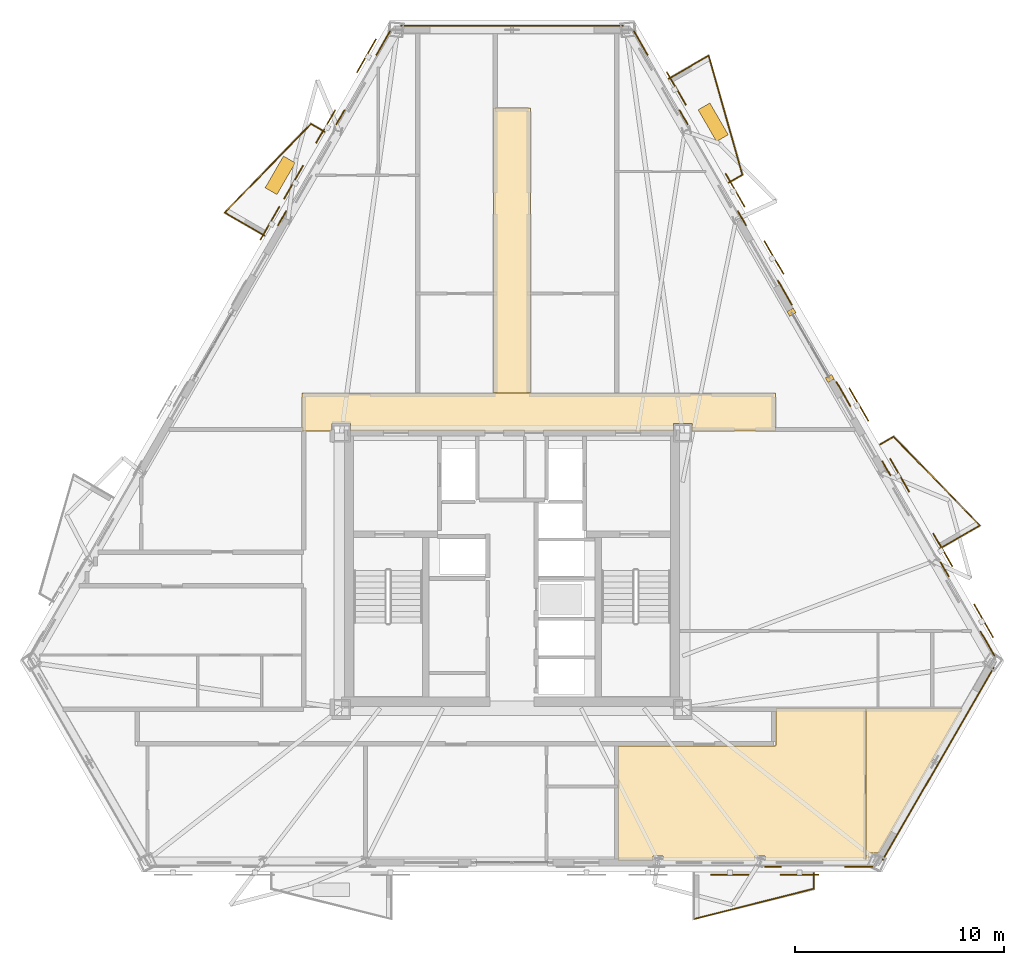
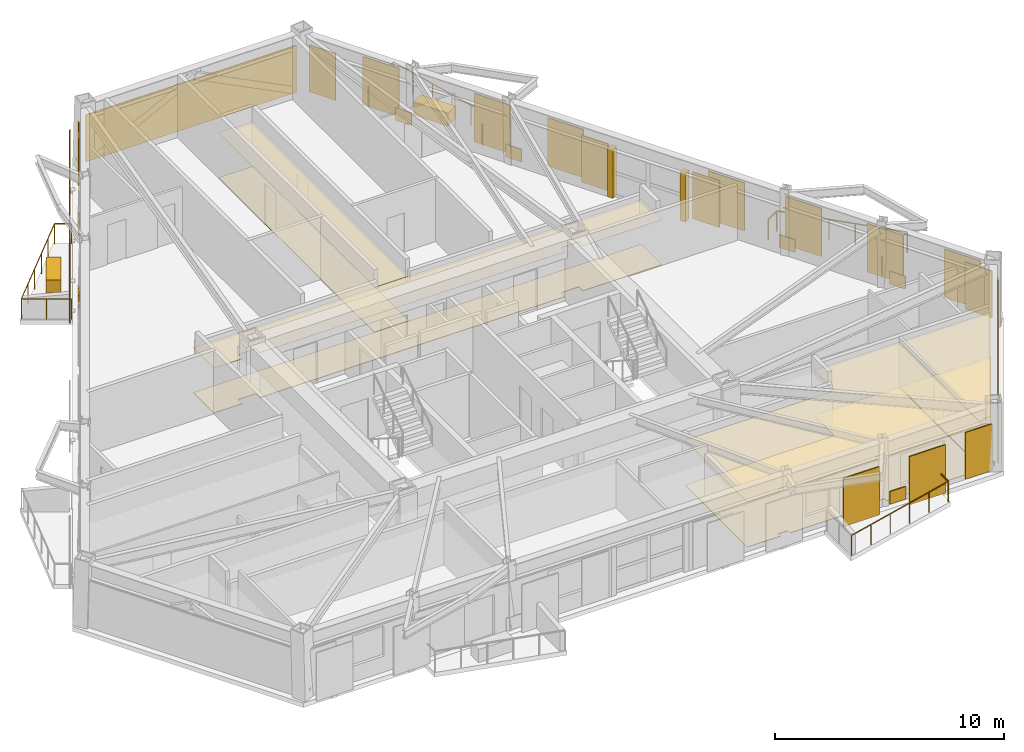
# One storey, part 15 of 16: 27 coverings, 13 shading devices, 11 railings.
"""IFC4 building model written with IfcOpenShell, lengths in metres."""

from ifc_helpers import new_model, si_unit, direction, frame, origin, origin_2d, place, context, subcontext, project, spatial, polyline, rectangle, circle, outline, extrude, material, layer, layer_set, type_object, element, save


model = new_model("IFC4")

# Units and contexts
model_context = context("Model", 3, precision=1e-05, world=origin(), true_north=direction((0.0, 1.0)))
body_context = subcontext(model_context, "Body", "Model", "MODEL_VIEW")
ifc_project = project(units=[si_unit("LENGTHUNIT", "METRE"), si_unit("AREAUNIT", "SQUARE_METRE"), si_unit("VOLUMEUNIT", "CUBIC_METRE"), si_unit("PLANEANGLEUNIT", "RADIAN"), si_unit("MASSUNIT", "GRAM", prefix="KILO")], contexts=[model_context])

# Site, building, storey
site_placement = place(None, origin())
site = spatial("IfcSite", under=ifc_project, at=site_placement, CompositionType="ELEMENT")
building_placement = place(site_placement, origin())
building = spatial("IfcBuilding", under=site, at=building_placement, Name="Oramaril Tower", CompositionType="ELEMENT")
storey_placement = place(building_placement, frame((0.0, 0.0, 115.800048828125)))
storey = spatial("IfcBuildingStorey", under=building, at=storey_placement, Name="L30", CompositionType="ELEMENT", Elevation=115.800048828125)

# Coverings
ifc_material_1 = material(Name="Mineral Fibre Acoustic Ceiling")
ifc_layer_1 = layer(ifc_material_1, 0.02001953125)
ifc_layer_set_1 = layer_set([ifc_layer_1], Name="CVT-CEIL")
covering_type_1 = type_object("IfcCoveringType", Name="CVT-CEIL", PredefinedType="CEILING", material=ifc_layer_set_1)
covering_1_placement = place(storey_placement, frame((0.0, 0.0, 2.39990234375)))
element("IfcCovering", 1, at=covering_1_placement, inside=storey, type_object=covering_type_1, Name="L30 Acoustic Suspended Ceiling 2", PredefinedType="CEILING", context=body_context, shape_type="SweptSolid", body=[
    extrude(outline(polyline([(50.080078125, 24.239990234375), (46.094970703125, 24.239990234375), (46.094970703125, 24.594970703125), (45.205078125, 24.594970703125), (45.205078125, 24.25), (29.794921875, 24.25), (29.794921875, 24.594970703125), (28.905029296875, 24.594970703125), (28.905029296875, 24.239990234375), (27.469970703125, 24.239990234375), (27.469970703125, 26.050048828125), (50.080078125, 26.050048828125), (50.080078125, 24.239990234375)])), origin(), (0.0, 0.0, 1.0), 0.02001953125),
])
covering_2_placement = place(storey_placement, frame((0.0, 0.0, 2.39990234375)))
element("IfcCovering", 2, at=covering_2_placement, inside=storey, type_object=covering_type_1, Name="L30 Acoustic Suspended Ceiling 4", PredefinedType="CEILING", context=body_context, shape_type="SweptSolid", body=[
    extrude(outline(polyline([(38.3798828125, 26.070068359375), (36.6201171875, 26.070068359375), (36.6201171875, 39.679931640625), (38.3798828125, 39.679931640625), (38.3798828125, 26.070068359375)])), origin(), (0.0, 0.0, 1.0), 0.02001953125),
])
covering_3_placement = place(storey_placement, frame((0.0, 0.0, 2.39990234375)))
element("IfcCovering", 3, at=covering_3_placement, inside=storey, type_object=covering_type_1, Name="L30 Acoustic Suspended Ceiling 11", PredefinedType="CEILING", context=body_context, shape_type="SweptSolid", body=[
    extrude(outline(polyline([(54.39794921875, 10.991943359375), (54.39794921875, 3.7373046875), (49.589599609375, 3.7373046875), (49.589599609375, 3.93603515625), (49.117919921875, 3.93603515625), (49.117919921875, 3.7373046875), (44.703369140625, 3.7373046875), (44.703369140625, 3.93603515625), (44.2421875, 3.93603515625), (44.2421875, 3.7373046875), (42.56201171875, 3.7373046875), (42.56201171875, 7.314208984375), (42.56201171875, 7.316162109375), (42.5615234375, 7.318115234375), (42.56103515625, 7.320068359375), (42.560546875, 7.322021484375), (42.5595703125, 7.323486328125), (42.559326171875, 7.32421875), (42.5595703125, 7.32470703125), (42.560546875, 7.326416015625), (42.56103515625, 7.328369140625), (42.5615234375, 7.330322265625), (42.56201171875, 7.332275390625), (42.56201171875, 7.334228515625), (42.56201171875, 9.199951171875), (50.080078125, 9.199951171875), (50.08203125, 9.2001953125), (50.083984375, 9.200439453125), (50.085693359375, 9.200927734375), (50.087646484375, 9.201416015625), (50.08935546875, 9.202392578125), (50.091064453125, 9.203369140625), (50.0927734375, 9.20458984375), (50.093994140625, 9.205810546875), (50.095458984375, 9.207275390625), (50.0966796875, 9.208984375), (50.09765625, 9.210693359375), (50.098388671875, 9.21240234375), (50.09912109375, 9.214111328125), (50.099609375, 9.216064453125), (50.099853515625, 9.218017578125), (50.10009765625, 9.219970703125), (50.10009765625, 10.991943359375), (54.39794921875, 10.991943359375)])), origin(), (0.0, 0.0, 1.0), 0.02001953125),
])
covering_4_placement = place(storey_placement, frame((0.0, 0.0, 2.39990234375)))
element("IfcCovering", 4, at=covering_4_placement, inside=storey, type_object=covering_type_1, Name="L30 Acoustic Suspended Ceiling 12", PredefinedType="CEILING", context=body_context, shape_type="SweptSolid", body=[
    extrude(outline(polyline([(54.543212890625, 4.0830078125), (54.543212890625, 3.7373046875), (54.41796875, 3.7373046875), (54.41796875, 10.991943359375), (59.039306640625, 10.991943359375), (55.05029296875, 4.0830078125), (54.543212890625, 4.0830078125)])), origin(), (0.0, 0.0, 1.0), 0.02001953125),
])
ifc_material_2 = material(Name="Warm Cream Limestone", Category="masonry")
ifc_layer_2 = layer(ifc_material_2, 0.050048828125)
ifc_layer_set_2 = layer_set([ifc_layer_2], Name="CVT-CLD")
covering_type_2 = type_object("IfcCoveringType", Name="CVT-CLD", PredefinedType="CLADDING", material=ifc_layer_set_2)
covering_5_placement = place(storey_placement, frame((54.06298828125, 3.436279296875, 0.0400390625), z_axis=(0.0, 0.0, 1.0), x_axis=(1.0, 0.0, 0.0)))
element("IfcCovering", 5, at=covering_5_placement, inside=storey, type_object=covering_type_2, Name="L30 Warm Cream Limestone Cladding", PredefinedType="CLADDING", context=body_context, shape_type="SweptSolid", body=[
    extrude(rectangle(XDim=1.35009765625, YDim=0.050048828125, at=origin_2d()), origin(), (0.0, 0.0, 1.0), 2.498046875),
])
covering_6_placement = place(storey_placement, frame((49.96484375, 3.436279296875, 0.0400390625), z_axis=(0.0, 0.0, 1.0), x_axis=(1.0, 0.0, 0.0)))
element("IfcCovering", 6, at=covering_6_placement, inside=storey, type_object=covering_type_2, Name="L30 Warm Cream Limestone Spandrel Cladding", PredefinedType="CLADDING", context=body_context, shape_type="SweptSolid", body=[
    extrude(rectangle(XDim=0.800048828125, YDim=0.050048828125, at=origin_2d()), origin(), (0.0, 0.0, 1.0), 0.679931640625),
])
covering_7_placement = place(storey_placement, frame((57.85888671875, 8.345703125, 0.0400390625), z_axis=(0.0, 0.0, 1.0), x_axis=(0.500003022996, 0.86602365845, 0.0)))
element("IfcCovering", 7, at=covering_7_placement, inside=storey, type_object=covering_type_2, Name="L30 Warm Cream Limestone Cladding", PredefinedType="CLADDING", context=body_context, shape_type="SweptSolid", body=[
    extrude(rectangle(XDim=10.614990234375, YDim=0.050048828125, at=origin_2d()), origin(), (0.0, 0.0, 1.0), 2.498046875),
])
for number, where, z_axis, x_axis, name in (
    (8, (52.678955078125, 26.75048828125, 0.0), (0.0, 0.0, 1.0), (-0.5, 0.866025403784, 0.0), "L30 Curtain Wall Limestone Jamb Closure"),
    (9, (50.84912109375, 29.920166015625, 0.0), (0.0, 0.0, 1.0), (-0.5, 0.866025403784, 0.0), "L30 Curtain Wall Limestone Jamb Closure"),
):
    element("IfcCovering", number, at=place(storey_placement, frame(where, z_axis=z_axis, x_axis=x_axis)), inside=storey, type_object=covering_type_2, Name=name, PredefinedType="CLADDING", context=body_context, shape_type="SweptSolid", body=[
        extrude(rectangle(XDim=0.260009765625, YDim=0.340087890625, at=origin_2d()), origin(), (0.0, 0.0, 1.0), 2.577880859375),
    ])
for number, where, z_axis, x_axis, name in (
    (10, (60.212646484375, 14.087646484375, 0.0400390625), (0.0, 0.0, 1.0), (-0.4999984885, 0.866026276448, 0.0), "L30 Warm Cream Limestone Cladding"),
    (11, (53.3310546875, 26.007080078125, 0.0400390625), (0.0, 0.0, 1.0), (-0.4999984885, 0.866026276448, 0.0), "L30 Warm Cream Limestone Cladding"),
):
    element("IfcCovering", number, at=place(storey_placement, frame(where, z_axis=z_axis, x_axis=x_axis)), inside=storey, type_object=covering_type_2, Name=name, PredefinedType="CLADDING", context=body_context, shape_type="SweptSolid", body=[
        extrude(rectangle(XDim=1.35009765625, YDim=0.050048828125, at=origin_2d()), origin(), (0.0, 0.0, 1.0), 2.498046875),
    ])
for number, where, z_axis, x_axis, name in (
    (12, (58.16357421875, 17.636962890625, 0.0400390625), (0.0, 0.0, 1.0), (-0.4999984885, 0.866026276448, 0.0), "L30 Warm Cream Limestone Spandrel Cladding"),
    (13, (55.38037109375, 22.457763671875, 0.0400390625), (0.0, 0.0, 1.0), (-0.4999984885, 0.866026276448, 0.0), "L30 Warm Cream Limestone Spandrel Cladding"),
):
    element("IfcCovering", number, at=place(storey_placement, frame(where, z_axis=z_axis, x_axis=x_axis)), inside=storey, type_object=covering_type_2, Name=name, PredefinedType="CLADDING", context=body_context, shape_type="SweptSolid", body=[
        extrude(rectangle(XDim=0.800048828125, YDim=0.050048828125, at=origin_2d()), origin(), (0.0, 0.0, 1.0), 0.679931640625),
    ])
for number, where, z_axis, x_axis, name in (
    (14, (50.531005859375, 30.856689453125, 0.0400390625), (0.0, 0.0, 1.0), (-0.4999984885, 0.866026276448, 0.0), "L30 Warm Cream Limestone Cladding"),
    (15, (43.649658203125, 42.77587890625, 0.0400390625), (0.0, 0.0, 1.0), (-0.4999984885, 0.866026276448, 0.0), "L30 Warm Cream Limestone Cladding"),
):
    element("IfcCovering", number, at=place(storey_placement, frame(where, z_axis=z_axis, x_axis=x_axis)), inside=storey, type_object=covering_type_2, Name=name, PredefinedType="CLADDING", context=body_context, shape_type="SweptSolid", body=[
        extrude(rectangle(XDim=1.35009765625, YDim=0.050048828125, at=origin_2d()), origin(), (0.0, 0.0, 1.0), 2.498046875),
    ])
for number, where, z_axis, x_axis, name in (
    (16, (48.482177734375, 34.406005859375, 0.0400390625), (0.0, 0.0, 1.0), (-0.4999984885, 0.866026276448, 0.0), "L30 Warm Cream Limestone Spandrel Cladding"),
    (17, (45.69873046875, 39.226806640625, 0.0400390625), (0.0, 0.0, 1.0), (-0.4999984885, 0.866026276448, 0.0), "L30 Warm Cream Limestone Spandrel Cladding"),
):
    element("IfcCovering", number, at=place(storey_placement, frame(where, z_axis=z_axis, x_axis=x_axis)), inside=storey, type_object=covering_type_2, Name=name, PredefinedType="CLADDING", context=body_context, shape_type="SweptSolid", body=[
        extrude(rectangle(XDim=0.800048828125, YDim=0.050048828125, at=origin_2d()), origin(), (0.0, 0.0, 1.0), 0.679931640625),
    ])
covering_8_placement = place(storey_placement, frame((37.5, 43.608642578125, 0.0400390625), z_axis=(0.0, 0.0, 1.0), x_axis=(-1.0, 0.0, 0.0)))
element("IfcCovering", 18, at=covering_8_placement, inside=storey, type_object=covering_type_2, Name="L30 Warm Cream Limestone Cladding", PredefinedType="CLADDING", context=body_context, shape_type="SweptSolid", body=[
    extrude(rectangle(XDim=10.614990234375, YDim=0.050048828125, at=origin_2d()), origin(), (0.0, 0.0, 1.0), 2.498046875),
])
covering_9_placement = place(storey_placement, frame((31.350341796875, 42.77587890625, 0.0400390625), z_axis=(0.0, 0.0, 1.0), x_axis=(-0.4999984885, -0.866026276448, 0.0)))
element("IfcCovering", 19, at=covering_9_placement, inside=storey, type_object=covering_type_2, Name="L30 Warm Cream Limestone Cladding", PredefinedType="CLADDING", context=body_context, shape_type="SweptSolid", body=[
    extrude(rectangle(XDim=1.35009765625, YDim=0.050048828125, at=origin_2d()), origin(), (0.0, 0.0, 1.0), 2.498046875),
])
for number, where, z_axis, x_axis, name in (
    (20, (29.30126953125, 39.226806640625, 0.0400390625), (0.0, 0.0, 1.0), (-0.4999984885, -0.866026276448, 0.0), "L30 Warm Cream Limestone Spandrel Cladding"),
    (21, (26.517822265625, 34.406005859375, 0.0400390625), (0.0, 0.0, 1.0), (-0.4999984885, -0.866026276448, 0.0), "L30 Warm Cream Limestone Spandrel Cladding"),
):
    element("IfcCovering", number, at=place(storey_placement, frame(where, z_axis=z_axis, x_axis=x_axis)), inside=storey, type_object=covering_type_2, Name=name, PredefinedType="CLADDING", context=body_context, shape_type="SweptSolid", body=[
        extrude(rectangle(XDim=0.800048828125, YDim=0.050048828125, at=origin_2d()), origin(), (0.0, 0.0, 1.0), 0.679931640625),
    ])
for number, where, z_axis, x_axis, name in (
    (22, (47.110107421875, 38.989501953125, 0.0), (0.0, 0.0, 1.0), (-0.4999984885, 0.866026276448, 0.0), "L30 Structural Tree Planter Box L30-BAL-NE2"),
    (23, (26.427490234375, 36.456298828125, 0.0), (0.0, 0.0, 1.0), (-0.4999984885, -0.866026276448, 0.0), "L30 Structural Tree Planter Box L30-BAL-NW1"),
):
    element("IfcCovering", number, at=place(storey_placement, frame(where, z_axis=z_axis, x_axis=x_axis)), inside=storey, type_object=covering_type_2, Name=name, PredefinedType="CLADDING", context=body_context, shape_type="SweptSolid", body=[
        extrude(rectangle(XDim=1.75, YDim=0.64990234375, at=origin_2d()), origin(), (0.0, 0.0, 1.0), 0.699951171875),
    ])
ifc_material_3 = material(Name="Honed Quartzite Stone Flooring", Category="masonry")
ifc_layer_3 = layer(ifc_material_3, 0.02490234375)
ifc_layer_set_3 = layer_set([ifc_layer_3], Name="CVT-FLR")
covering_type_3 = type_object("IfcCoveringType", Name="CVT-FLR", PredefinedType="FLOORING", material=ifc_layer_set_3)
covering_10_placement = place(storey_placement, origin())
element("IfcCovering", 24, at=covering_10_placement, inside=storey, type_object=covering_type_3, Name="L30 Honed Stone Floor Finish 2", PredefinedType="FLOORING", context=body_context, shape_type="SweptSolid", body=[
    extrude(outline(polyline([(50.080078125, 24.239990234375), (46.094970703125, 24.239990234375), (46.094970703125, 24.594970703125), (45.205078125, 24.594970703125), (45.205078125, 24.25), (29.794921875, 24.25), (29.794921875, 24.594970703125), (28.905029296875, 24.594970703125), (28.905029296875, 24.239990234375), (27.469970703125, 24.239990234375), (27.469970703125, 26.050048828125), (50.080078125, 26.050048828125), (50.080078125, 24.239990234375)])), origin(), (0.0, 0.0, 1.0), 0.02490234375),
])
covering_11_placement = place(storey_placement, origin())
element("IfcCovering", 25, at=covering_11_placement, inside=storey, type_object=covering_type_3, Name="L30 Honed Stone Floor Finish 4", PredefinedType="FLOORING", context=body_context, shape_type="SweptSolid", body=[
    extrude(outline(polyline([(38.3798828125, 26.070068359375), (36.6201171875, 26.070068359375), (36.6201171875, 39.679931640625), (38.3798828125, 39.679931640625), (38.3798828125, 26.070068359375)])), origin(), (0.0, 0.0, 1.0), 0.02490234375),
])
covering_12_placement = place(storey_placement, origin())
element("IfcCovering", 26, at=covering_12_placement, inside=storey, type_object=covering_type_3, Name="L30 Honed Stone Floor Finish 11", PredefinedType="FLOORING", context=body_context, shape_type="SweptSolid", body=[
    extrude(outline(polyline([(54.39794921875, 10.991943359375), (54.39794921875, 3.7373046875), (49.589599609375, 3.7373046875), (49.589599609375, 3.93603515625), (49.117919921875, 3.93603515625), (49.117919921875, 3.7373046875), (44.703369140625, 3.7373046875), (44.703369140625, 3.93603515625), (44.2421875, 3.93603515625), (44.2421875, 3.7373046875), (42.56201171875, 3.7373046875), (42.56201171875, 7.314208984375), (42.56201171875, 7.316162109375), (42.5615234375, 7.318115234375), (42.56103515625, 7.320068359375), (42.560546875, 7.322021484375), (42.5595703125, 7.323486328125), (42.559326171875, 7.32421875), (42.5595703125, 7.32470703125), (42.560546875, 7.326416015625), (42.56103515625, 7.328369140625), (42.5615234375, 7.330322265625), (42.56201171875, 7.332275390625), (42.56201171875, 7.334228515625), (42.56201171875, 9.199951171875), (50.080078125, 9.199951171875), (50.08203125, 9.2001953125), (50.083984375, 9.200439453125), (50.085693359375, 9.200927734375), (50.087646484375, 9.201416015625), (50.08935546875, 9.202392578125), (50.091064453125, 9.203369140625), (50.0927734375, 9.20458984375), (50.093994140625, 9.205810546875), (50.095458984375, 9.207275390625), (50.0966796875, 9.208984375), (50.09765625, 9.210693359375), (50.098388671875, 9.21240234375), (50.09912109375, 9.214111328125), (50.099609375, 9.216064453125), (50.099853515625, 9.218017578125), (50.10009765625, 9.219970703125), (50.10009765625, 10.991943359375), (54.39794921875, 10.991943359375)])), origin(), (0.0, 0.0, 1.0), 0.02490234375),
])
covering_13_placement = place(storey_placement, origin())
element("IfcCovering", 27, at=covering_13_placement, inside=storey, type_object=covering_type_3, Name="L30 Honed Stone Floor Finish 12", PredefinedType="FLOORING", context=body_context, shape_type="SweptSolid", body=[
    extrude(outline(polyline([(54.543212890625, 4.0830078125), (54.543212890625, 3.7373046875), (54.41796875, 3.7373046875), (54.41796875, 10.991943359375), (59.039306640625, 10.991943359375), (55.05029296875, 4.0830078125), (54.543212890625, 4.0830078125)])), origin(), (0.0, 0.0, 1.0), 0.02490234375),
])

# Railings
ifc_material_4 = material(Name="Stainless Steel 316L", Category="steel")
railing_type = type_object("IfcRailingType", Name="RLT-GRD", PredefinedType="GUARDRAIL", material=ifc_material_4)
railing_1_placement = place(storey_placement, frame((51.918701171875, 3.121337890625, 0.0)))
element("IfcRailing", 28, at=railing_1_placement, inside=storey, type_object=railing_type, Name="L30 Balcony Guardrail L30-BAL-S2.1", PredefinedType="GUARDRAIL", context=body_context, shape_type="SweptSolid", body=[
    extrude(circle(Radius=0.02392578125, at=origin_2d()), frame((0.0, 0.0, 1.076171875), z_axis=(0.0, -1.0, 0.0), x_axis=(1.0, 0.0, 0.0)), (0.0, 0.0, 1.0), 0.741943359375),
    extrude(circle(Radius=0.02099609375, at=origin_2d()), origin(), (0.0, 0.0, 1.0), 1.052001953125),
    extrude(circle(Radius=0.02099609375, at=origin_2d()), frame((0.0, -0.741943359375, 0.0)), (0.0, 0.0, 1.0), 1.052001953125),
])
railing_2_placement = place(storey_placement, frame((51.918701171875, 2.37939453125, 0.0)))
element("IfcRailing", 29, at=railing_2_placement, inside=storey, type_object=railing_type, Name="L30 Balcony Guardrail L30-BAL-S2.2", PredefinedType="GUARDRAIL", context=body_context, shape_type="SweptSolid", body=[
    extrude(circle(Radius=0.02392578125, at=origin_2d()), frame((0.0, 0.0, 1.076171875), z_axis=(-0.969433787338, -0.245353076131, 0.0), x_axis=(0.245353076131, -0.969433787338, 0.0)), (0.0, 0.0, 1.0), 5.91064453125),
    extrude(circle(Radius=0.02099609375, at=origin_2d()), origin(), (0.0, 0.0, 1.0), 1.052001953125),
    extrude(circle(Radius=0.02099609375, at=origin_2d()), frame((-1.14599609375, -0.2900390625, 0.0)), (0.0, 0.0, 1.0), 1.052001953125),
    extrude(circle(Radius=0.02099609375, at=origin_2d()), frame((-2.2919921875, -0.580078125, 0.0)), (0.0, 0.0, 1.0), 1.052001953125),
    extrude(circle(Radius=0.02099609375, at=origin_2d()), frame((-3.43798828125, -0.8701171875, 0.0)), (0.0, 0.0, 1.0), 1.052001953125),
    extrude(circle(Radius=0.02099609375, at=origin_2d()), frame((-4.583984375, -1.16015625, 0.0)), (0.0, 0.0, 1.0), 1.052001953125),
    extrude(circle(Radius=0.02099609375, at=origin_2d()), frame((-5.72998046875, -1.4501953125, 0.0)), (0.0, 0.0, 1.0), 1.052001953125),
])
railing_3_placement = place(storey_placement, frame((55.0859375, 23.597900390625, 0.0)))
element("IfcRailing", 30, at=railing_3_placement, inside=storey, type_object=railing_type, Name="L30 Balcony Guardrail L30-BAL-NE1.1", PredefinedType="GUARDRAIL", context=body_context, shape_type="SweptSolid", body=[
    extrude(circle(Radius=0.02392578125, at=origin_2d()), frame((0.0, 0.0, 1.076171875), z_axis=(0.866108878364, 0.499855389907, 0.0), x_axis=(-0.499855389907, 0.866108878364, 0.0)), (0.0, 0.0, 1.0), 0.741943359375),
    extrude(circle(Radius=0.02099609375, at=origin_2d()), origin(), (0.0, 0.0, 1.0), 1.052001953125),
    extrude(circle(Radius=0.02099609375, at=origin_2d()), frame((0.642578125, 0.370849609375, 0.0)), (0.0, 0.0, 1.0), 1.052001953125),
])
railing_4_placement = place(storey_placement, frame((55.728515625, 23.96875, 0.0)))
element("IfcRailing", 31, at=railing_4_placement, inside=storey, type_object=railing_type, Name="L30 Balcony Guardrail L30-BAL-NE1.2", PredefinedType="GUARDRAIL", context=body_context, shape_type="SweptSolid", body=[
    extrude(circle(Radius=0.02392578125, at=origin_2d()), frame((0.0, 0.0, 1.076171875), z_axis=(0.697165686546, -0.716910040034, 0.0), x_axis=(0.716910040034, 0.697165686546, 0.0)), (0.0, 0.0, 1.0), 5.910400390625),
    extrude(circle(Radius=0.02099609375, at=origin_2d()), origin(), (0.0, 0.0, 1.0), 1.052001953125),
    extrude(circle(Radius=0.02099609375, at=origin_2d()), frame((0.82421875, -0.847412109375, 0.0)), (0.0, 0.0, 1.0), 1.052001953125),
    extrude(circle(Radius=0.02099609375, at=origin_2d()), frame((1.648193359375, -1.69482421875, 0.0)), (0.0, 0.0, 1.0), 1.052001953125),
    extrude(circle(Radius=0.02099609375, at=origin_2d()), frame((2.472412109375, -2.54248046875, 0.0)), (0.0, 0.0, 1.0), 1.052001953125),
    extrude(circle(Radius=0.02099609375, at=origin_2d()), frame((3.29638671875, -3.389892578125, 0.0)), (0.0, 0.0, 1.0), 1.052001953125),
    extrude(circle(Radius=0.02099609375, at=origin_2d()), frame((4.12060546875, -4.2373046875, 0.0)), (0.0, 0.0, 1.0), 1.052001953125),
])
railing_5_placement = place(storey_placement, frame((59.84912109375, 19.7314453125, 0.0)))
element("IfcRailing", 32, at=railing_5_placement, inside=storey, type_object=railing_type, Name="L30 Balcony Guardrail L30-BAL-NE1.3", PredefinedType="GUARDRAIL", context=body_context, shape_type="SweptSolid", body=[
    extrude(circle(Radius=0.02392578125, at=origin_2d()), frame((0.0, 0.0, 1.076171875), z_axis=(-0.866020500697, -0.5000084923, 0.0), x_axis=(0.5000084923, -0.866020500697, 0.0)), (0.0, 0.0, 1.0), 2.19189453125),
    extrude(circle(Radius=0.02099609375, at=origin_2d()), origin(), (0.0, 0.0, 1.0), 1.052001953125),
    extrude(circle(Radius=0.02099609375, at=origin_2d()), frame((-0.94921875, -0.5478515625, 0.0)), (0.0, 0.0, 1.0), 1.052001953125),
    extrude(circle(Radius=0.02099609375, at=origin_2d()), frame((-1.898193359375, -1.095947265625, 0.0)), (0.0, 0.0, 1.0), 1.052001953125),
])
railing_6_placement = place(storey_placement, frame((44.99462890625, 41.076416015625, 0.0)))
element("IfcRailing", 33, at=railing_6_placement, inside=storey, type_object=railing_type, Name="L30 Balcony Guardrail L30-BAL-NE2.1", PredefinedType="GUARDRAIL", context=body_context, shape_type="SweptSolid", body=[
    extrude(circle(Radius=0.02392578125, at=origin_2d()), frame((0.0, 0.0, 1.076171875), z_axis=(0.866048343933, 0.499960264392, 0.0), x_axis=(-0.499960264392, 0.866048343933, 0.0)), (0.0, 0.0, 1.0), 2.192138671875),
    extrude(circle(Radius=0.02099609375, at=origin_2d()), origin(), (0.0, 0.0, 1.0), 1.052001953125),
    extrude(circle(Radius=0.02099609375, at=origin_2d()), frame((0.94921875, 0.5478515625, 0.0)), (0.0, 0.0, 1.0), 1.052001953125),
    extrude(circle(Radius=0.02099609375, at=origin_2d()), frame((1.8984375, 1.095947265625, 0.0)), (0.0, 0.0, 1.0), 1.052001953125),
])
railing_7_placement = place(storey_placement, frame((46.89306640625, 42.17236328125, 0.0)))
element("IfcRailing", 34, at=railing_7_placement, inside=storey, type_object=railing_type, Name="L30 Balcony Guardrail L30-BAL-NE2.2", PredefinedType="GUARDRAIL", context=body_context, shape_type="SweptSolid", body=[
    extrude(circle(Radius=0.02392578125, at=origin_2d()), frame((0.0, 0.0, 1.076171875), z_axis=(0.27224886544, -0.962226873074, 0.0), x_axis=(0.962226873074, 0.27224886544, 0.0)), (0.0, 0.0, 1.0), 5.910400390625),
    extrude(circle(Radius=0.02099609375, at=origin_2d()), origin(), (0.0, 0.0, 1.0), 1.052001953125),
    extrude(circle(Radius=0.02099609375, at=origin_2d()), frame((0.32177734375, -1.137451171875, 0.0)), (0.0, 0.0, 1.0), 1.052001953125),
    extrude(circle(Radius=0.02099609375, at=origin_2d()), frame((0.6435546875, -2.27490234375, 0.0)), (0.0, 0.0, 1.0), 1.052001953125),
    extrude(circle(Radius=0.02099609375, at=origin_2d()), frame((0.965576171875, -3.412353515625, 0.0)), (0.0, 0.0, 1.0), 1.052001953125),
    extrude(circle(Radius=0.02099609375, at=origin_2d()), frame((1.287353515625, -4.5498046875, 0.0)), (0.0, 0.0, 1.0), 1.052001953125),
    extrude(circle(Radius=0.02099609375, at=origin_2d()), frame((1.609130859375, -5.687255859375, 0.0)), (0.0, 0.0, 1.0), 1.052001953125),
])
railing_8_placement = place(storey_placement, frame((48.502197265625, 36.485107421875, 0.0)))
element("IfcRailing", 35, at=railing_8_placement, inside=storey, type_object=railing_type, Name="L30 Balcony Guardrail L30-BAL-NE2.3", PredefinedType="GUARDRAIL", context=body_context, shape_type="SweptSolid", body=[
    extrude(circle(Radius=0.02392578125, at=origin_2d()), frame((0.0, 0.0, 1.076171875), z_axis=(-0.865966403178, -0.500102178127, 0.0), x_axis=(0.500102178127, -0.865966403178, 0.0)), (0.0, 0.0, 1.0), 0.741943359375),
    extrude(circle(Radius=0.02099609375, at=origin_2d()), origin(), (0.0, 0.0, 1.0), 1.052001953125),
    extrude(circle(Radius=0.02099609375, at=origin_2d()), frame((-0.642578125, -0.37109375, 0.0)), (0.0, 0.0, 1.0), 1.052001953125),
])
railing_9_placement = place(storey_placement, frame((25.677734375, 33.580810546875, 0.0)))
element("IfcRailing", 36, at=railing_9_placement, inside=storey, type_object=railing_type, Name="L30 Balcony Guardrail L30-BAL-NW1.1", PredefinedType="GUARDRAIL", context=body_context, shape_type="SweptSolid", body=[
    extrude(circle(Radius=0.02392578125, at=origin_2d()), frame((0.0, 0.0, 1.076171875), z_axis=(-0.865972267571, 0.50009202333, 0.0), x_axis=(-0.50009202333, -0.865972267571, 0.0)), (0.0, 0.0, 1.0), 2.19189453125),
    extrude(circle(Radius=0.02099609375, at=origin_2d()), origin(), (0.0, 0.0, 1.0), 1.052001953125),
    extrude(circle(Radius=0.02099609375, at=origin_2d()), frame((-0.94921875, 0.548095703125, 0.0)), (0.0, 0.0, 1.0), 1.052001953125),
    extrude(circle(Radius=0.02099609375, at=origin_2d()), frame((-1.898193359375, 1.09619140625, 0.0)), (0.0, 0.0, 1.0), 1.052001953125),
])
railing_10_placement = place(storey_placement, frame((23.779541015625, 34.677001953125, 0.0)))
element("IfcRailing", 37, at=railing_10_placement, inside=storey, type_object=railing_type, Name="L30 Balcony Guardrail L30-BAL-NW1.2", PredefinedType="GUARDRAIL", context=body_context, shape_type="SweptSolid", body=[
    extrude(circle(Radius=0.02392578125, at=origin_2d()), frame((0.0, 0.0, 1.076171875), z_axis=(0.697186915353, 0.716889395277, 0.0), x_axis=(-0.716889395277, 0.697186915353, 0.0)), (0.0, 0.0, 1.0), 5.91064453125),
    extrude(circle(Radius=0.02099609375, at=origin_2d()), origin(), (0.0, 0.0, 1.0), 1.052001953125),
    extrude(circle(Radius=0.02099609375, at=origin_2d()), frame((0.82421875, 0.847412109375, 0.0)), (0.0, 0.0, 1.0), 1.052001953125),
    extrude(circle(Radius=0.02099609375, at=origin_2d()), frame((1.6484375, 1.69482421875, 0.0)), (0.0, 0.0, 1.0), 1.052001953125),
    extrude(circle(Radius=0.02099609375, at=origin_2d()), frame((2.472412109375, 2.54248046875, 0.0)), (0.0, 0.0, 1.0), 1.052001953125),
    extrude(circle(Radius=0.02099609375, at=origin_2d()), frame((3.296630859375, 3.389892578125, 0.0)), (0.0, 0.0, 1.0), 1.052001953125),
    extrude(circle(Radius=0.02099609375, at=origin_2d()), frame((4.120849609375, 4.2373046875, 0.0)), (0.0, 0.0, 1.0), 1.052001953125),
])
railing_11_placement = place(storey_placement, frame((27.900390625, 38.914306640625, 0.0)))
element("IfcRailing", 38, at=railing_11_placement, inside=storey, type_object=railing_type, Name="L30 Balcony Guardrail L30-BAL-NW1.3", PredefinedType="GUARDRAIL", context=body_context, shape_type="SweptSolid", body=[
    extrude(circle(Radius=0.02392578125, at=origin_2d()), frame((0.0, 0.0, 1.076171875), z_axis=(0.865884080729, -0.500244698863, 0.0), x_axis=(0.500244698863, 0.865884080729, 0.0)), (0.0, 0.0, 1.0), 0.741943359375),
    extrude(circle(Radius=0.02099609375, at=origin_2d()), origin(), (0.0, 0.0, 1.0), 1.052001953125),
    extrude(circle(Radius=0.02099609375, at=origin_2d()), frame((0.642333984375, -0.37109375, 0.0)), (0.0, 0.0, 1.0), 1.052001953125),
])

# Shading devices
for number, where, z_axis, x_axis, name in (
    (39, (47.904052734375, 3.04931640625, -0.02001953125), (0.0, 0.0, 1.0), (1.0, 0.0, 0.0), "L30 Perforated Ceramic Solar Screen"),
    (40, (51.234375, 3.04931640625, -0.02001953125), (0.0, 0.0, 1.0), (1.0, 0.0, 0.0), "L30 Perforated Ceramic Solar Screen"),
    (41, (60.02685546875, 15.183837890625, -0.02001953125), (0.0, 0.0, 1.0), (-0.5, 0.866025403784, 0.0), "L30 Perforated Ceramic Solar Screen"),
    (42, (58.076904296875, 18.561279296875, -0.02001953125), (0.0, 0.0, 1.0), (-0.5, 0.866025403784, 0.0), "L30 Perforated Ceramic Solar Screen"),
    (43, (56.015625, 22.131103515625, -0.02001953125), (0.0, 0.0, 1.0), (-0.5, 0.866025403784, 0.0), "L30 Perforated Ceramic Solar Screen"),
    (44, (54.065673828125, 25.5087890625, -0.02001953125), (0.0, 0.0, 1.0), (-0.5, 0.866025403784, 0.0), "L30 Perforated Ceramic Solar Screen"),
    (45, (50.01318359375, 32.528076171875, -0.02001953125), (0.0, 0.0, 1.0), (-0.499995465495, 0.866028021766, 0.0), "L30 Perforated Ceramic Solar Screen"),
    (46, (48.15869140625, 35.739990234375, -0.02001953125), (0.0, 0.0, 1.0), (-0.499995465495, 0.866028021766, 0.0), "L30 Perforated Ceramic Solar Screen"),
    (47, (45.3505859375, 40.603759765625, -0.02001953125), (0.0, 0.0, 1.0), (-0.499995465495, 0.866028021766, 0.0), "L30 Perforated Ceramic Solar Screen"),
    (48, (25.9345703125, 34.16943359375, -0.02001953125), (0.0, 0.0, 1.0), (-0.5, -0.866025403784, 0.0), "L30 Perforated Ceramic Solar Screen"),
    (49, (30.5498046875, 42.163330078125, -0.02001953125), (0.0, 0.0, 1.0), (-0.5, -0.866025403784, 0.0), "L30 Perforated Ceramic Solar Screen"),
    (50, (28.599853515625, 38.785888671875, -0.02001953125), (0.0, 0.0, 1.0), (-0.5, -0.866025403784, 0.0), "L30 Perforated Ceramic Solar Screen"),
    (51, (27.06640625, 36.130126953125, -0.02001953125), (0.0, 0.0, 1.0), (-0.5, -0.866025403784, 0.0), "L30 Perforated Ceramic Solar Screen"),
):
    element("IfcShadingDevice", number, at=place(storey_placement, frame(where, z_axis=z_axis, x_axis=x_axis)), inside=storey, Name=name, ObjectType="SCREEN", PredefinedType="USERDEFINED", context=body_context, shape_type="SweptSolid", body=[
        extrude(rectangle(XDim=1.8330078125, YDim=0.050048828125, at=origin_2d()), origin(), (0.0, 0.0, 1.0), 2.577880859375),
    ])

save(model, "model.ifc")
